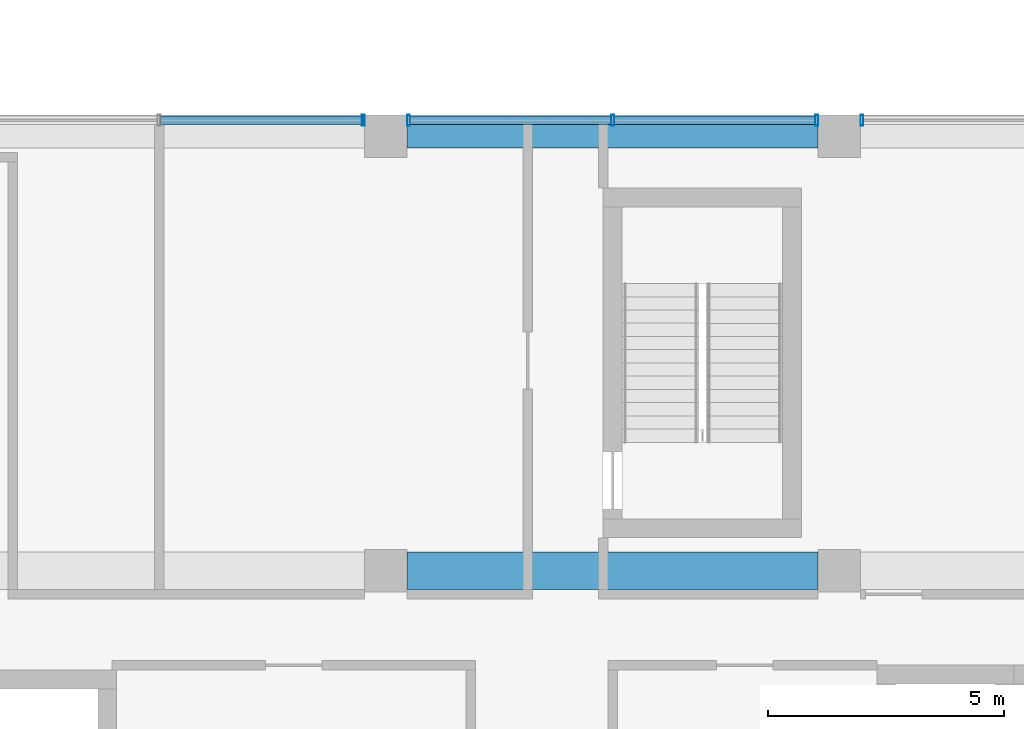
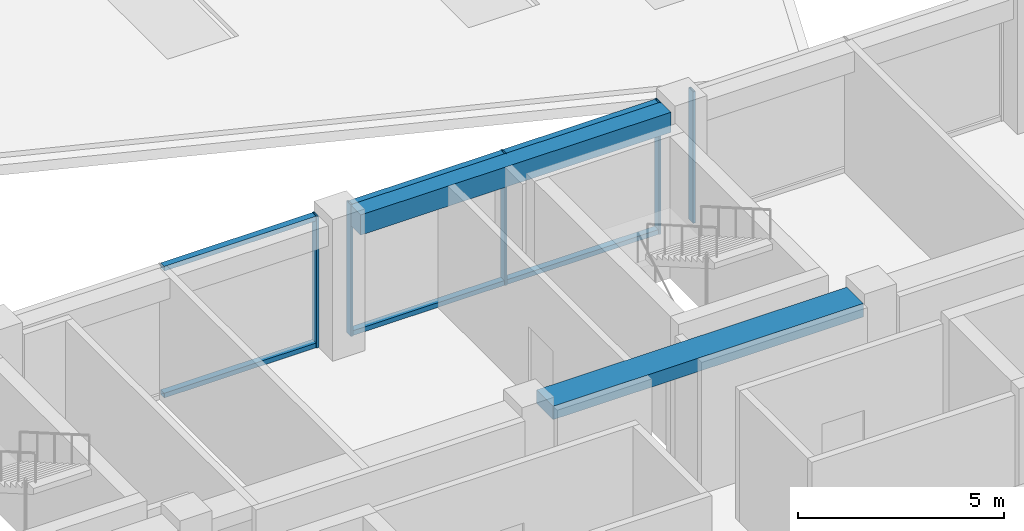
# One storey, part 22 of 36: 11 members, 2 beams, 3 elements without a shape of their own.
"""IFC4 building model written with IfcOpenShell, lengths in metres."""

import ifcopenshell
import ifcopenshell.guid

model = None  # the IFC model being written
_history = None  # IfcOwnerHistory: only IFC2X3 demands one
_inside = {}  # id of a spatial element -> (the spatial element, [elements in it])
_under = {}  # id of a project, library or spatial element -> (it, [spatial elements below it])
_declared = {}  # id of a project -> (the project, [libraries it declares])
_typed = {}  # id of a type object -> (the type object, [elements of that type])
_made_of = {}  # id of a material, layer set ... -> (it, [elements and type objects made of it])


def new_model(schema):
    """Start an empty IFC model of exactly this schema.

    Asked for "IFC4X3", IfcOpenShell would pick the latest addendum, in which some entities
    have other attributes; the version numbers below select the first issue.
    IFC2X3 requires an IfcOwnerHistory on every rooted entity: one is made here for all.
    """
    global model, _history
    if schema == "IFC4X3":
        model = ifcopenshell.file(schema_version=(4, 3, 0, 0))
    else:
        model = ifcopenshell.file(schema=schema)
    _inside.clear()
    _under.clear()
    _declared.clear()
    _typed.clear()
    _made_of.clear()
    _history = None
    if model.schema == "IFC2X3":
        org = make("IfcOrganization", Name="unknown")
        user = make(
            "IfcPersonAndOrganization",
            ThePerson=make("IfcPerson", FamilyName="unknown"),
            TheOrganization=org,
        )
        app = make(
            "IfcApplication",
            ApplicationDeveloper=org,
            Version="unknown",
            ApplicationFullName="unknown",
            ApplicationIdentifier="unknown",
        )
        _history = make(
            "IfcOwnerHistory",
            OwningUser=user,
            OwningApplication=app,
            ChangeAction="ADDED",
            CreationDate=0,
        )
    return model


def make(cls, **values):
    """One entity of the class cls with the attributes given. An attribute that is None is left unset."""
    return model.create_entity(
        cls, **{name: value for name, value in values.items() if value is not None}
    )


def rooted(cls, **values):
    """An entity with a GlobalId (a new one), such as an element, a storey or a relation."""
    return make(cls, GlobalId=ifcopenshell.guid.new(), OwnerHistory=_history, **values)


def si_unit(unit_type, name, prefix=None):
    """IfcSIUnit, for example si_unit("LENGTHUNIT", "METRE", prefix="MILLI")."""
    return make("IfcSIUnit", UnitType=unit_type, Prefix=prefix, Name=name)


def assignment(units):
    """IfcUnitAssignment: the units of a project."""
    return None if units is None else make("IfcUnitAssignment", Units=units)


def point(xyz):
    """IfcCartesianPoint."""
    return None if xyz is None else make("IfcCartesianPoint", Coordinates=xyz)


def direction(xyz):
    """IfcDirection."""
    return None if xyz is None else make("IfcDirection", DirectionRatios=xyz)


def frame(location, z_axis=None, x_axis=None):
    """IfcAxis2Placement3D, a coordinate frame: its origin and axes. An axis left out is left unset."""
    return make(
        "IfcAxis2Placement3D",
        Location=point(location),
        Axis=direction(z_axis),
        RefDirection=direction(x_axis),
    )


def frame_2d(location, x_axis=None):
    """IfcAxis2Placement2D, a coordinate frame in the plane: its origin and x axis."""
    return make(
        "IfcAxis2Placement2D", Location=point(location), RefDirection=direction(x_axis)
    )


def origin():
    """The frame at (0, 0, 0) with its axes left unset."""
    return frame((0.0, 0.0, 0.0))


def origin_2d():
    """The frame at (0, 0) in the plane with its x axis left unset."""
    return frame_2d((0.0, 0.0))


def place(relative_to, where):
    """IfcLocalPlacement: puts the frame where relative to a parent placement (None: the world)."""
    return make(
        "IfcLocalPlacement", PlacementRelTo=relative_to, RelativePlacement=where
    )


def context(
    kind, dimensions, precision=None, world=None, true_north=None, identifier=None
):
    """IfcGeometricRepresentationContext, for example the 3D "Model" context."""
    return make(
        "IfcGeometricRepresentationContext",
        ContextIdentifier=identifier,
        ContextType=kind,
        CoordinateSpaceDimension=dimensions,
        Precision=precision,
        WorldCoordinateSystem=world,
        TrueNorth=true_north,
    )


def subcontext(parent, identifier, kind, view, scale=None):
    """IfcGeometricRepresentationSubContext, for example "Body" below "Model"."""
    return make(
        "IfcGeometricRepresentationSubContext",
        ContextIdentifier=identifier,
        ContextType=kind,
        ParentContext=parent,
        TargetScale=scale,
        TargetView=view,
    )


def project(units=None, contexts=None):
    """IfcProject with its units and contexts."""
    return rooted(
        "IfcProject",
        Name="project",
        RepresentationContexts=contexts,
        UnitsInContext=assignment(units),
    )


def spatial(cls, under=None, at=None, **own):
    """A site, building, storey or space (cls), placed at a placement, below another one or the project."""
    s = rooted(cls, ObjectPlacement=at, **own)
    if under is not None:
        _under.setdefault(under.id(), (under, []))[1].append(s)
    return s


def profile(cls, at=None, kind="AREA", **sizes):
    """A parametric profile (cls). Its sizes go by their IFC names, for example OverallWidth=200.0."""
    return make(cls, ProfileType=kind, Position=at, **sizes)


def rectangle(**sizes):
    """IfcRectangleProfileDef."""
    return profile("IfcRectangleProfileDef", **sizes)


def hollow_rectangle(**sizes):
    """IfcRectangleHollowProfileDef."""
    return profile("IfcRectangleHollowProfileDef", **sizes)


def extrude(swept, where, along, depth):
    """IfcExtrudedAreaSolid: the profile swept, set in the frame where, extruded along a direction by depth."""
    return make(
        "IfcExtrudedAreaSolid",
        SweptArea=swept,
        Position=where,
        ExtrudedDirection=direction(along),
        Depth=depth,
    )


def shape(context_of_items, identifier, shape_type, items):
    """IfcShapeRepresentation: the items that make up one representation, for example the "Body"."""
    return make(
        "IfcShapeRepresentation",
        ContextOfItems=context_of_items,
        RepresentationIdentifier=identifier,
        RepresentationType=shape_type,
        Items=items,
    )


def material(Name=None, Category=None):
    """IfcMaterial."""
    return make("IfcMaterial", Name=Name, Category=Category)


def layer(
    of_material, thickness, ventilated=None, Name=None, Category=None, Priority=None
):
    """IfcMaterialLayer: one layer of a wall or slab, of a material (None: an air gap)."""
    return make(
        "IfcMaterialLayer",
        Material=of_material,
        LayerThickness=thickness,
        IsVentilated=ventilated,
        Name=Name,
        Category=Category,
        Priority=Priority,
    )


def layer_set(layers, Name=None):
    """IfcMaterialLayerSet."""
    return make("IfcMaterialLayerSet", MaterialLayers=layers, LayerSetName=Name)


def material_profile(
    of_material, cross_section, Name=None, Category=None, Priority=None
):
    """IfcMaterialProfile: a cross section and its material."""
    return make(
        "IfcMaterialProfile",
        Name=Name,
        Material=of_material,
        Profile=cross_section,
        Priority=Priority,
        Category=Category,
    )


def profile_set(profiles, Name=None, composite=None):
    """IfcMaterialProfileSet."""
    return make(
        "IfcMaterialProfileSet",
        Name=Name,
        MaterialProfiles=profiles,
        CompositeProfile=composite,
    )


def made_of(thing, what):
    """Note that an element or type object is made of a material, layer set ...; save() writes the relation."""
    if what is not None:
        _made_of.setdefault(what.id(), (what, []))[1].append(thing)
    return thing


def type_object(cls, material=None, **own):
    """A type object (cls), such as IfcWallType, which elements share."""
    return made_of(rooted(cls, **own), material)


def element(
    cls,
    number,
    at=None,
    inside=None,
    cuts=None,
    type_object=None,
    material=None,
    context=None,
    identifier="Body",
    shape_type=None,
    held_by="IfcProductDefinitionShape",
    body=None,
    shapes=None,
    **own,
):
    """One element of the class cls, such as IfcWall. Its Tag is "e" and its number.

    at: its placement. inside: the storey or other place that contains it. cuts: it is an
    opening in that element (IfcRelVoidsElement). A single representation is given by context,
    identifier, shape_type and body (its items); several are given by shapes. held_by: the class
    of the entity that holds the representations. save() writes the other relations.
    """
    e = rooted(cls, Tag="e%d" % number, ObjectPlacement=at, **own)
    if body is not None:
        shapes = [shape(context, identifier, shape_type, body)]
    if shapes is not None:
        e.Representation = make(held_by, Representations=shapes)
    if inside is not None:
        _inside.setdefault(inside.id(), (inside, []))[1].append(e)
    if cuts is not None:
        rooted(
            "IfcRelVoidsElement", RelatingBuildingElement=cuts, RelatedOpeningElement=e
        )
    if type_object is not None:
        _typed.setdefault(type_object.id(), (type_object, []))[1].append(e)
    return made_of(e, material)


def aggregate(whole, parts):
    """IfcRelAggregates: a whole, such as a stair, and the parts it consists of."""
    return rooted("IfcRelAggregates", RelatingObject=whole, RelatedObjects=parts)


def save(model, path):
    """Write the relations noted so far, then the file.

    IfcRelAggregates (storeys below a building ...), IfcRelContainedInSpatialStructure (elements
    in a storey), IfcRelDefinesByType, IfcRelAssociatesMaterial and IfcRelDeclares: one each for
    every whole, place, type object, material and project.
    """
    for whole, parts in _under.values():
        aggregate(whole, parts)
    for where, things in _inside.values():
        rooted(
            "IfcRelContainedInSpatialStructure",
            RelatedElements=things,
            RelatingStructure=where,
        )
    for kind, things in _typed.values():
        rooted("IfcRelDefinesByType", RelatedObjects=things, RelatingType=kind)
    for what, things in _made_of.values():
        rooted("IfcRelAssociatesMaterial", RelatedObjects=things, RelatingMaterial=what)
    for by, libraries in _declared.values():
        rooted("IfcRelDeclares", RelatingContext=by, RelatedDefinitions=libraries)
    model.write(path)


model = new_model("IFC4")

# Units and contexts
model_context = context("Model", 3, precision=1e-05, world=origin(), true_north=direction((0.0, 1.0)))
body_context = subcontext(model_context, "Body", "Model", "MODEL_VIEW")
ifc_project = project(units=[si_unit("LENGTHUNIT", "METRE"), si_unit("AREAUNIT", "SQUARE_METRE"), si_unit("VOLUMEUNIT", "CUBIC_METRE"), si_unit("PLANEANGLEUNIT", "RADIAN"), si_unit("MASSUNIT", "GRAM", prefix="KILO")], contexts=[model_context])

# Site, building, storey
site_placement = place(None, origin())
site = spatial("IfcSite", under=ifc_project, at=site_placement, CompositionType="ELEMENT")
building_placement = place(site_placement, origin())
building = spatial("IfcBuilding", under=site, at=building_placement, Name="Nzadi Deep Aquarium and Research Tower", CompositionType="ELEMENT")
storey_placement = place(building_placement, frame((0.0, 0.0, 40.300048828125)))
storey = spatial("IfcBuildingStorey", under=building, at=storey_placement, Name="L07", CompositionType="ELEMENT", Elevation=40.300048828125)

# Curtain wall, member
ifc_material_1 = material(Name="Aluminium unitised frame deep", Category="aluminium")
ifc_layer = layer(ifc_material_1, 0.22509765625)
ifc_layer_set = layer_set([ifc_layer], Name="Aluminium unitised frame deep")
curtain_wall_type = type_object("IfcCurtainWallType", Name="Curtain wall Unitised Deep 225", PredefinedType="NOTDEFINED", material=ifc_layer_set)
curtain_wall_1_placement = place(storey_placement, origin())
curtain_wall_1 = element("IfcCurtainWall", 1, at=curtain_wall_1_placement, inside=storey, type_object=curtain_wall_type, Name="Unitised curtain wall blade B north L07", PredefinedType="NOTDEFINED")
ifc_material_2 = material(Name="Aluminium unitised frame deep", Category="aluminium")
ifc_material_profile_1 = material_profile(ifc_material_2, hollow_rectangle(XDim=0.22509765625, YDim=0.06005859375, WallThickness=0.0048828125, at=origin_2d()))
ifc_profile_set_1 = profile_set([ifc_material_profile_1], Name="Aluminium unitised frame deep")
member_type_1 = type_object("IfcMemberType", Name="Mullion 60x225 Unitised Deep", PredefinedType="MULLION", material=ifc_profile_set_1)
member_1_placement = place(storey_placement, frame((18.719970703125, 46.33740234375, 0.0), z_axis=(0.0, 0.0, 1.0), x_axis=(0.0, 1.0, 0.0)))
member_1 = element("IfcMember", 2, at=member_1_placement, type_object=member_type_1, Name="CW104 mullion 3", PredefinedType="MULLION", context=body_context, shape_type="SweptSolid", body=[
    extrude(hollow_rectangle(XDim=0.22509765625, YDim=0.06005859375, WallThickness=0.0048828125, at=origin_2d()), origin(), (0.0, 0.0, 1.0), 3.89990234375),
])

# Curtain wall, members
curtain_wall_2_placement = place(storey_placement, origin())
curtain_wall_2 = element("IfcCurtainWall", 3, at=curtain_wall_2_placement, inside=storey, type_object=curtain_wall_type, Name="Unitised curtain wall blade B north L07", PredefinedType="NOTDEFINED")
member_2_placement = place(storey_placement, frame((19.679931640625, 46.33740234375, 0.0), z_axis=(0.0, 0.0, 1.0), x_axis=(0.0, 1.0, 0.0)))
member_2 = element("IfcMember", 4, at=member_2_placement, type_object=member_type_1, Name="CW105 mullion 1", PredefinedType="MULLION", context=body_context, shape_type="SweptSolid", body=[
    extrude(hollow_rectangle(XDim=0.22509765625, YDim=0.06005859375, WallThickness=0.0048828125, at=origin_2d()), origin(), (0.0, 0.0, 1.0), 3.89990234375),
])
member_3_placement = place(storey_placement, frame((24.0, 46.33740234375, 0.0), z_axis=(0.0, 0.0, 1.0), x_axis=(0.0, 1.0, 0.0)))
member_3 = element("IfcMember", 5, at=member_3_placement, type_object=member_type_1, Name="CW105 mullion 2", PredefinedType="MULLION", context=body_context, shape_type="SweptSolid", body=[
    extrude(hollow_rectangle(XDim=0.22509765625, YDim=0.06005859375, WallThickness=0.0048828125, at=origin_2d()), origin(), (0.0, 0.0, 1.0), 3.89990234375),
])
member_4_placement = place(storey_placement, frame((28.320068359375, 46.33740234375, 0.0), z_axis=(0.0, 0.0, 1.0), x_axis=(0.0, 1.0, 0.0)))
member_4 = element("IfcMember", 6, at=member_4_placement, type_object=member_type_1, Name="CW105 mullion 3", PredefinedType="MULLION", context=body_context, shape_type="SweptSolid", body=[
    extrude(hollow_rectangle(XDim=0.22509765625, YDim=0.06005859375, WallThickness=0.0048828125, at=origin_2d()), origin(), (0.0, 0.0, 1.0), 3.89990234375),
])

# Curtain wall, member
curtain_wall_3_placement = place(storey_placement, origin())
curtain_wall_3 = element("IfcCurtainWall", 7, at=curtain_wall_3_placement, inside=storey, type_object=curtain_wall_type, Name="Unitised curtain wall blade B north L07", PredefinedType="NOTDEFINED")
member_5_placement = place(storey_placement, frame((29.280029296875, 46.33740234375, 0.0), z_axis=(0.0, 0.0, 1.0), x_axis=(0.0, 1.0, 0.0)))
member_5 = element("IfcMember", 8, at=member_5_placement, type_object=member_type_1, Name="CW106 mullion 1", PredefinedType="MULLION", context=body_context, shape_type="SweptSolid", body=[
    extrude(hollow_rectangle(XDim=0.22509765625, YDim=0.06005859375, WallThickness=0.0048828125, at=origin_2d()), origin(), (0.0, 0.0, 1.0), 3.89990234375),
])
aggregate(curtain_wall_3, [member_5])

# Beams
ifc_material_3 = material(Name="Concrete C35/45", Category="concrete")
ifc_material_profile_2 = material_profile(ifc_material_3, rectangle(XDim=0.5, YDim=0.60009765625, at=origin_2d()))
ifc_profile_set_2 = profile_set([ifc_material_profile_2], Name="Concrete C35/45")
beam_type_1 = type_object("IfcBeamType", Name="RC 500x600", PredefinedType="BEAM", material=ifc_profile_set_2)
beam_1_placement = place(storey_placement, frame((19.64990234375, 46.0, 3.599853515625), z_axis=(1.0, 0.0, 0.0), x_axis=(0.0, 1.0, 0.0)))
element("IfcBeam", 9, at=beam_1_placement, inside=storey, type_object=beam_type_1, Name="B-Z1-L07-L6-3", PredefinedType="BEAM", context=body_context, shape_type="SweptSolid", body=[
    extrude(rectangle(XDim=0.5, YDim=0.60009765625, at=origin_2d()), origin(), (0.0, 0.0, 1.0), 8.7001953125),
])
ifc_material_4 = material(Name="Concrete C35/45", Category="concrete")
ifc_material_profile_3 = material_profile(ifc_material_4, rectangle(XDim=0.800048828125, YDim=0.39990234375, at=origin_2d()))
ifc_profile_set_3 = profile_set([ifc_material_profile_3], Name="Concrete C35/45")
beam_type_2 = type_object("IfcBeamType", Name="RC 800x400", PredefinedType="BEAM", material=ifc_profile_set_3)
beam_2_placement = place(storey_placement, frame((19.64990234375, 36.800048828125, 3.699951171875), z_axis=(1.0, 0.0, 0.0), x_axis=(0.0, 1.0, 0.0)))
element("IfcBeam", 10, at=beam_2_placement, inside=storey, type_object=beam_type_2, Name="B-Z1-L07-L5-3", PredefinedType="BEAM", context=body_context, shape_type="SweptSolid", body=[
    extrude(rectangle(XDim=0.800048828125, YDim=0.39990234375, at=origin_2d()), origin(), (0.0, 0.0, 1.0), 8.7001953125),
])

# Member
ifc_material_5 = material(Name="Aluminium unitised frame deep", Category="aluminium")
ifc_material_profile_4 = material_profile(ifc_material_5, hollow_rectangle(XDim=0.179931640625, YDim=0.139892578125, WallThickness=0.0048828125, at=origin_2d()))
ifc_profile_set_4 = profile_set([ifc_material_profile_4], Name="Aluminium unitised frame deep")
member_type_2 = type_object("IfcMemberType", Name="Transom 140x180 Unitised Deep", PredefinedType="MULLION", material=ifc_profile_set_4)
member_6_placement = place(storey_placement, frame((14.429931640625, 46.33740234375, 0.070068359375), z_axis=(1.0, 0.0, 0.0), x_axis=(0.0, 1.0, 0.0)))
member_6 = element("IfcMember", 11, at=member_6_placement, type_object=member_type_2, Name="CW104 transom 2.1", PredefinedType="MULLION", context=body_context, shape_type="SweptSolid", body=[
    extrude(hollow_rectangle(XDim=0.179931640625, YDim=0.139892578125, WallThickness=0.0048828125, at=origin_2d()), origin(), (0.0, 0.0, 1.0), 4.260009765625),
])

member_7_placement = place(storey_placement, frame((14.429931640625, 46.33740234375, 3.829833984375), z_axis=(1.0, 0.0, 0.0), x_axis=(0.0, 1.0, 0.0)))
member_7 = element("IfcMember", 12, at=member_7_placement, type_object=member_type_2, Name="CW104 transom 2.2", PredefinedType="MULLION", context=body_context, shape_type="SweptSolid", body=[
    extrude(hollow_rectangle(XDim=0.179931640625, YDim=0.139892578125, WallThickness=0.0048828125, at=origin_2d()), origin(), (0.0, 0.0, 1.0), 4.260009765625),
])

aggregate(curtain_wall_1, [member_1, member_6, member_7])

member_8_placement = place(storey_placement, frame((19.7099609375, 46.33740234375, 0.070068359375), z_axis=(1.0, 0.0, 0.0), x_axis=(0.0, 1.0, 0.0)))
member_8 = element("IfcMember", 13, at=member_8_placement, type_object=member_type_2, Name="CW105 transom 1.1", PredefinedType="MULLION", context=body_context, shape_type="SweptSolid", body=[
    extrude(hollow_rectangle(XDim=0.179931640625, YDim=0.139892578125, WallThickness=0.0048828125, at=origin_2d()), origin(), (0.0, 0.0, 1.0), 4.260009765625),
])

member_9_placement = place(storey_placement, frame((19.7099609375, 46.33740234375, 3.829833984375), z_axis=(1.0, 0.0, 0.0), x_axis=(0.0, 1.0, 0.0)))
member_9 = element("IfcMember", 14, at=member_9_placement, type_object=member_type_2, Name="CW105 transom 1.2", PredefinedType="MULLION", context=body_context, shape_type="SweptSolid", body=[
    extrude(hollow_rectangle(XDim=0.179931640625, YDim=0.139892578125, WallThickness=0.0048828125, at=origin_2d()), origin(), (0.0, 0.0, 1.0), 4.260009765625),
])

member_10_placement = place(storey_placement, frame((24.030029296875, 46.33740234375, 0.070068359375), z_axis=(1.0, 0.0, 0.0), x_axis=(0.0, 1.0, 0.0)))
member_10 = element("IfcMember", 15, at=member_10_placement, type_object=member_type_2, Name="CW105 transom 2.1", PredefinedType="MULLION", context=body_context, shape_type="SweptSolid", body=[
    extrude(hollow_rectangle(XDim=0.179931640625, YDim=0.139892578125, WallThickness=0.0048828125, at=origin_2d()), origin(), (0.0, 0.0, 1.0), 4.260009765625),
])

member_11_placement = place(storey_placement, frame((24.030029296875, 46.33740234375, 3.829833984375), z_axis=(1.0, 0.0, 0.0), x_axis=(0.0, 1.0, 0.0)))
member_11 = element("IfcMember", 16, at=member_11_placement, type_object=member_type_2, Name="CW105 transom 2.2", PredefinedType="MULLION", context=body_context, shape_type="SweptSolid", body=[
    extrude(hollow_rectangle(XDim=0.179931640625, YDim=0.139892578125, WallThickness=0.0048828125, at=origin_2d()), origin(), (0.0, 0.0, 1.0), 4.260009765625),
])

aggregate(curtain_wall_2, [member_2, member_3, member_4, member_8, member_9, member_10, member_11])

save(model, "model.ifc")
